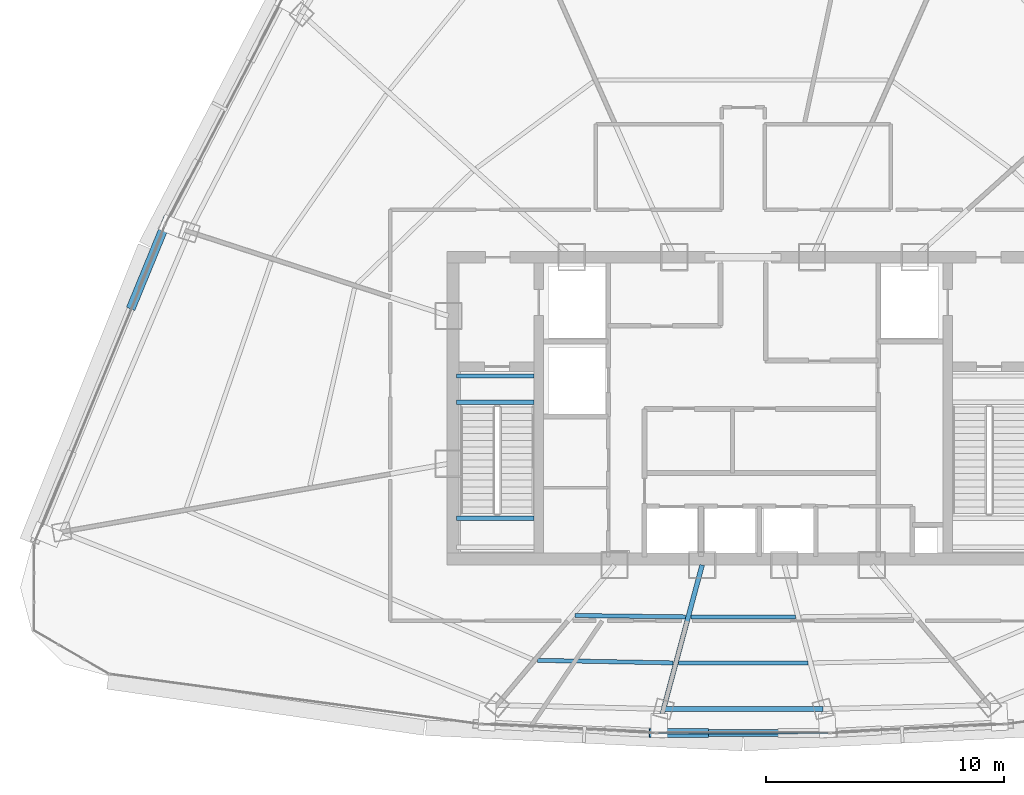
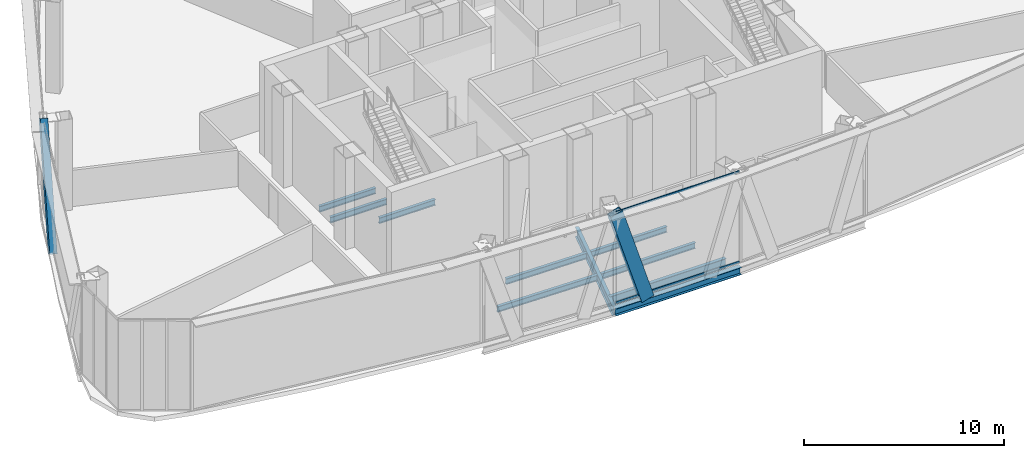
# One storey, part 7 of 33: 10 beams, 4 members, 1 element without a shape of its own.
"""IFC4 building model written with IfcOpenShell, lengths in metres."""

import ifcopenshell
import ifcopenshell.guid

model = None  # the IFC model being written
_history = None  # IfcOwnerHistory: only IFC2X3 demands one
_inside = {}  # id of a spatial element -> (the spatial element, [elements in it])
_under = {}  # id of a project, library or spatial element -> (it, [spatial elements below it])
_declared = {}  # id of a project -> (the project, [libraries it declares])
_typed = {}  # id of a type object -> (the type object, [elements of that type])
_made_of = {}  # id of a material, layer set ... -> (it, [elements and type objects made of it])


def new_model(schema):
    """Start an empty IFC model of exactly this schema.

    Asked for "IFC4X3", IfcOpenShell would pick the latest addendum, in which some entities
    have other attributes; the version numbers below select the first issue.
    IFC2X3 requires an IfcOwnerHistory on every rooted entity: one is made here for all.
    """
    global model, _history
    if schema == "IFC4X3":
        model = ifcopenshell.file(schema_version=(4, 3, 0, 0))
    else:
        model = ifcopenshell.file(schema=schema)
    _inside.clear()
    _under.clear()
    _declared.clear()
    _typed.clear()
    _made_of.clear()
    _history = None
    if model.schema == "IFC2X3":
        org = make("IfcOrganization", Name="unknown")
        user = make(
            "IfcPersonAndOrganization",
            ThePerson=make("IfcPerson", FamilyName="unknown"),
            TheOrganization=org,
        )
        app = make(
            "IfcApplication",
            ApplicationDeveloper=org,
            Version="unknown",
            ApplicationFullName="unknown",
            ApplicationIdentifier="unknown",
        )
        _history = make(
            "IfcOwnerHistory",
            OwningUser=user,
            OwningApplication=app,
            ChangeAction="ADDED",
            CreationDate=0,
        )
    return model


def make(cls, **values):
    """One entity of the class cls with the attributes given. An attribute that is None is left unset."""
    return model.create_entity(
        cls, **{name: value for name, value in values.items() if value is not None}
    )


def rooted(cls, **values):
    """An entity with a GlobalId (a new one), such as an element, a storey or a relation."""
    return make(cls, GlobalId=ifcopenshell.guid.new(), OwnerHistory=_history, **values)


def si_unit(unit_type, name, prefix=None):
    """IfcSIUnit, for example si_unit("LENGTHUNIT", "METRE", prefix="MILLI")."""
    return make("IfcSIUnit", UnitType=unit_type, Prefix=prefix, Name=name)


def assignment(units):
    """IfcUnitAssignment: the units of a project."""
    return None if units is None else make("IfcUnitAssignment", Units=units)


def point(xyz):
    """IfcCartesianPoint."""
    return None if xyz is None else make("IfcCartesianPoint", Coordinates=xyz)


def direction(xyz):
    """IfcDirection."""
    return None if xyz is None else make("IfcDirection", DirectionRatios=xyz)


def frame(location, z_axis=None, x_axis=None):
    """IfcAxis2Placement3D, a coordinate frame: its origin and axes. An axis left out is left unset."""
    return make(
        "IfcAxis2Placement3D",
        Location=point(location),
        Axis=direction(z_axis),
        RefDirection=direction(x_axis),
    )


def frame_2d(location, x_axis=None):
    """IfcAxis2Placement2D, a coordinate frame in the plane: its origin and x axis."""
    return make(
        "IfcAxis2Placement2D", Location=point(location), RefDirection=direction(x_axis)
    )


def origin():
    """The frame at (0, 0, 0) with its axes left unset."""
    return frame((0.0, 0.0, 0.0))


def origin_2d():
    """The frame at (0, 0) in the plane with its x axis left unset."""
    return frame_2d((0.0, 0.0))


def place(relative_to, where):
    """IfcLocalPlacement: puts the frame where relative to a parent placement (None: the world)."""
    return make(
        "IfcLocalPlacement", PlacementRelTo=relative_to, RelativePlacement=where
    )


def context(
    kind, dimensions, precision=None, world=None, true_north=None, identifier=None
):
    """IfcGeometricRepresentationContext, for example the 3D "Model" context."""
    return make(
        "IfcGeometricRepresentationContext",
        ContextIdentifier=identifier,
        ContextType=kind,
        CoordinateSpaceDimension=dimensions,
        Precision=precision,
        WorldCoordinateSystem=world,
        TrueNorth=true_north,
    )


def subcontext(parent, identifier, kind, view, scale=None):
    """IfcGeometricRepresentationSubContext, for example "Body" below "Model"."""
    return make(
        "IfcGeometricRepresentationSubContext",
        ContextIdentifier=identifier,
        ContextType=kind,
        ParentContext=parent,
        TargetScale=scale,
        TargetView=view,
    )


def project(units=None, contexts=None):
    """IfcProject with its units and contexts."""
    return rooted(
        "IfcProject",
        Name="project",
        RepresentationContexts=contexts,
        UnitsInContext=assignment(units),
    )


def spatial(cls, under=None, at=None, **own):
    """A site, building, storey or space (cls), placed at a placement, below another one or the project."""
    s = rooted(cls, ObjectPlacement=at, **own)
    if under is not None:
        _under.setdefault(under.id(), (under, []))[1].append(s)
    return s


def profile(cls, at=None, kind="AREA", **sizes):
    """A parametric profile (cls). Its sizes go by their IFC names, for example OverallWidth=200.0."""
    return make(cls, ProfileType=kind, Position=at, **sizes)


def hollow_rectangle(**sizes):
    """IfcRectangleHollowProfileDef."""
    return profile("IfcRectangleHollowProfileDef", **sizes)


def i_section(**sizes):
    """IfcIShapeProfileDef."""
    return profile("IfcIShapeProfileDef", **sizes)


def extrude(swept, where, along, depth):
    """IfcExtrudedAreaSolid: the profile swept, set in the frame where, extruded along a direction by depth."""
    return make(
        "IfcExtrudedAreaSolid",
        SweptArea=swept,
        Position=where,
        ExtrudedDirection=direction(along),
        Depth=depth,
    )


def shape(context_of_items, identifier, shape_type, items):
    """IfcShapeRepresentation: the items that make up one representation, for example the "Body"."""
    return make(
        "IfcShapeRepresentation",
        ContextOfItems=context_of_items,
        RepresentationIdentifier=identifier,
        RepresentationType=shape_type,
        Items=items,
    )


def source(mapping_origin, context_of_items, identifier, shape_type, items):
    """IfcRepresentationMap: a shape defined once, which mapped items show again and again."""
    return make(
        "IfcRepresentationMap",
        MappingOrigin=mapping_origin,
        MappedRepresentation=shape(context_of_items, identifier, shape_type, items),
    )


def transform(
    local_origin,
    x_axis=None,
    y_axis=None,
    z_axis=None,
    scale=None,
    scale2=None,
    scale3=None,
    uniform=True,
):
    """IfcCartesianTransformationOperator3D, or its non-uniform kind. x_axis, y_axis, z_axis: its Axis1, 2, 3."""
    if uniform:
        return make(
            "IfcCartesianTransformationOperator3D",
            Axis1=direction(x_axis),
            Axis2=direction(y_axis),
            LocalOrigin=point(local_origin),
            Scale=scale,
            Axis3=direction(z_axis),
        )
    return make(
        "IfcCartesianTransformationOperator3DnonUniform",
        Axis1=direction(x_axis),
        Axis2=direction(y_axis),
        LocalOrigin=point(local_origin),
        Scale=scale,
        Axis3=direction(z_axis),
        Scale2=scale2,
        Scale3=scale3,
    )


def mapped(mapping_source, mapping_target):
    """IfcMappedItem: shows the shape of a source again, moved by a transform."""
    return make(
        "IfcMappedItem", MappingSource=mapping_source, MappingTarget=mapping_target
    )


def material(Name=None, Category=None):
    """IfcMaterial."""
    return make("IfcMaterial", Name=Name, Category=Category)


def layer(
    of_material, thickness, ventilated=None, Name=None, Category=None, Priority=None
):
    """IfcMaterialLayer: one layer of a wall or slab, of a material (None: an air gap)."""
    return make(
        "IfcMaterialLayer",
        Material=of_material,
        LayerThickness=thickness,
        IsVentilated=ventilated,
        Name=Name,
        Category=Category,
        Priority=Priority,
    )


def layer_set(layers, Name=None):
    """IfcMaterialLayerSet."""
    return make("IfcMaterialLayerSet", MaterialLayers=layers, LayerSetName=Name)


def material_profile(
    of_material, cross_section, Name=None, Category=None, Priority=None
):
    """IfcMaterialProfile: a cross section and its material."""
    return make(
        "IfcMaterialProfile",
        Name=Name,
        Material=of_material,
        Profile=cross_section,
        Priority=Priority,
        Category=Category,
    )


def profile_set(profiles, Name=None, composite=None):
    """IfcMaterialProfileSet."""
    return make(
        "IfcMaterialProfileSet",
        Name=Name,
        MaterialProfiles=profiles,
        CompositeProfile=composite,
    )


def made_of(thing, what):
    """Note that an element or type object is made of a material, layer set ...; save() writes the relation."""
    if what is not None:
        _made_of.setdefault(what.id(), (what, []))[1].append(thing)
    return thing


def type_object(cls, material=None, **own):
    """A type object (cls), such as IfcWallType, which elements share."""
    return made_of(rooted(cls, **own), material)


def element(
    cls,
    number,
    at=None,
    inside=None,
    cuts=None,
    type_object=None,
    material=None,
    context=None,
    identifier="Body",
    shape_type=None,
    held_by="IfcProductDefinitionShape",
    body=None,
    shapes=None,
    **own,
):
    """One element of the class cls, such as IfcWall. Its Tag is "e" and its number.

    at: its placement. inside: the storey or other place that contains it. cuts: it is an
    opening in that element (IfcRelVoidsElement). A single representation is given by context,
    identifier, shape_type and body (its items); several are given by shapes. held_by: the class
    of the entity that holds the representations. save() writes the other relations.
    """
    e = rooted(cls, Tag="e%d" % number, ObjectPlacement=at, **own)
    if body is not None:
        shapes = [shape(context, identifier, shape_type, body)]
    if shapes is not None:
        e.Representation = make(held_by, Representations=shapes)
    if inside is not None:
        _inside.setdefault(inside.id(), (inside, []))[1].append(e)
    if cuts is not None:
        rooted(
            "IfcRelVoidsElement", RelatingBuildingElement=cuts, RelatedOpeningElement=e
        )
    if type_object is not None:
        _typed.setdefault(type_object.id(), (type_object, []))[1].append(e)
    return made_of(e, material)


def aggregate(whole, parts):
    """IfcRelAggregates: a whole, such as a stair, and the parts it consists of."""
    return rooted("IfcRelAggregates", RelatingObject=whole, RelatedObjects=parts)


def save(model, path):
    """Write the relations noted so far, then the file.

    IfcRelAggregates (storeys below a building ...), IfcRelContainedInSpatialStructure (elements
    in a storey), IfcRelDefinesByType, IfcRelAssociatesMaterial and IfcRelDeclares: one each for
    every whole, place, type object, material and project.
    """
    for whole, parts in _under.values():
        aggregate(whole, parts)
    for where, things in _inside.values():
        rooted(
            "IfcRelContainedInSpatialStructure",
            RelatedElements=things,
            RelatingStructure=where,
        )
    for kind, things in _typed.values():
        rooted("IfcRelDefinesByType", RelatedObjects=things, RelatingType=kind)
    for what, things in _made_of.values():
        rooted("IfcRelAssociatesMaterial", RelatedObjects=things, RelatingMaterial=what)
    for by, libraries in _declared.values():
        rooted("IfcRelDeclares", RelatingContext=by, RelatedDefinitions=libraries)
    model.write(path)


model = new_model("IFC4")

# Units and contexts
model_context = context("Model", 3, precision=1e-05, world=origin(), true_north=direction((0.0, 1.0)))
body_context = subcontext(model_context, "Body", "Model", "MODEL_VIEW")
ifc_project = project(units=[si_unit("LENGTHUNIT", "METRE"), si_unit("AREAUNIT", "SQUARE_METRE"), si_unit("VOLUMEUNIT", "CUBIC_METRE"), si_unit("PLANEANGLEUNIT", "RADIAN"), si_unit("MASSUNIT", "GRAM", prefix="KILO"), si_unit("THERMODYNAMICTEMPERATUREUNIT", "KELVIN"), si_unit("POWERUNIT", "WATT")], contexts=[model_context])

# Site, building, storey
site_placement = place(None, origin())
site = spatial("IfcSite", under=ifc_project, at=site_placement, CompositionType="ELEMENT")
building_placement = place(site_placement, origin())
building = spatial("IfcBuilding", under=site, at=building_placement, Name="Yunzhuo Pagoda Commons", CompositionType="ELEMENT")
storey_placement = place(building_placement, frame((0.0, 0.0, 314.860107421875)))
storey = spatial("IfcBuildingStorey", under=building, at=storey_placement, Name="L79", CompositionType="ELEMENT", Elevation=314.860107421875)

# Beams
ifc_material_1 = material(Name="Structural steel Q355B", Category="steel")
ifc_material_profile_1 = material_profile(ifc_material_1, i_section(OverallWidth=0.175048828125, OverallDepth=0.35009765625, WebThickness=0.007080078125, FlangeThickness=0.010986328125, at=origin_2d()), Name="Structural steel Q355B")
ifc_profile_set_1 = profile_set([ifc_material_profile_1], Name="Structural steel Q355B")
beam_type_1 = type_object("IfcBeamType", Name="B-JS2 Joist HN 350x175x7x11", PredefinedType="JOIST", material=ifc_profile_set_1)
shared_shape_1 = source(origin(), body_context, "Body", "SweptSolid", [
    extrude(i_section(OverallWidth=0.175048828125, OverallDepth=0.35009765625, WebThickness=0.007080078125, FlangeThickness=0.010986328125, at=origin_2d()), origin(), (0.0, 0.0, 1.0), 3.25),
])
for number, where, z_axis, x_axis, name in (
    (1, (35.949951171875, 29.219970703125, 2.5498046875), (1.0, 0.0, 0.0), (0.0, 1.0, 0.0), "L79 ST1 landing support beam 85B"),
    (2, (35.949951171875, 34.10009765625, -0.375), (1.0, 0.0, 0.0), (0.0, 1.0, 0.0), "L79 ST1 landing support beam 183A"),
    (3, (35.949951171875, 35.199951171875, -0.375), (1.0, 0.0, 0.0), (0.0, 1.0, 0.0), "L79 ST1 landing support beam 183B"),
):
    element("IfcBeam", number, at=place(storey_placement, frame(where, z_axis=z_axis, x_axis=x_axis)), inside=storey, type_object=beam_type_1, Name=name, PredefinedType="JOIST", context=body_context, shape_type="MappedRepresentation", body=[
        mapped(shared_shape_1, transform((0.0, 0.0, 0.0), scale=1.0)),
    ])
shared_shape_2 = source(origin(), body_context, "Body", "SweptSolid", [
    extrude(i_section(OverallWidth=0.175048828125, OverallDepth=0.35009765625, WebThickness=0.007080078125, FlangeThickness=0.010986328125, at=origin_2d()), origin(), (0.0, 0.0, 1.0), 4.64892578125),
])
beam_1_placement = place(storey_placement, frame((40.924072265625, 25.12890625, -0.43505859375), z_axis=(0.999924495467, -0.012288342626, 0.0), x_axis=(0.012288342626, 0.999924495467, 0.0)))
element("IfcBeam", 4, at=beam_1_placement, inside=storey, type_object=beam_type_1, Name="L79 composite ring joist 1.1", PredefinedType="JOIST", context=body_context, shape_type="MappedRepresentation", body=[
    mapped(shared_shape_2, transform((0.0, 0.0, 0.0), scale=1.0)),
])
shared_shape_3 = source(origin(), body_context, "Body", "SweptSolid", [
    extrude(i_section(OverallWidth=0.175048828125, OverallDepth=0.35009765625, WebThickness=0.007080078125, FlangeThickness=0.010986328125, at=origin_2d()), origin(), (0.0, 0.0, 1.0), 5.711669921875),
])
beam_2_placement = place(storey_placement, frame((39.343017578125, 23.24365234375, -0.43505859375), z_axis=(0.999819084998, -0.019020969297, 0.0), x_axis=(0.019020969297, 0.999819084998, 0.0)))
element("IfcBeam", 5, at=beam_2_placement, inside=storey, type_object=beam_type_1, Name="L79 composite ring joist 2.1", PredefinedType="JOIST", context=body_context, shape_type="MappedRepresentation", body=[
    mapped(shared_shape_3, transform((0.0, 0.0, 0.0), scale=1.0)),
])
ifc_material_profile_2 = material_profile(ifc_material_1, i_section(OverallWidth=0.199951171875, OverallDepth=0.60009765625, WebThickness=0.010986328125, FlangeThickness=0.01708984375, at=origin_2d()), Name="Structural steel Q355B")
ifc_profile_set_2 = profile_set([ifc_material_profile_2], Name="Structural steel Q355B")
beam_type_2 = type_object("IfcBeamType", Name="B-RG3 Beam HN 600x200x11x17", PredefinedType="BEAM", material=ifc_profile_set_2)
shared_shape_4 = source(origin(), body_context, "Body", "SweptSolid", [
    extrude(i_section(OverallWidth=0.199951171875, OverallDepth=0.60009765625, WebThickness=0.010986328125, FlangeThickness=0.01708984375, at=origin_2d()), origin(), (0.0, 0.0, 1.0), 6.701171875),
])
beam_3_placement = place(storey_placement, frame((44.6494140625, 21.195556640625, -0.56005859375), z_axis=(1.0, 0.0, 0.0), x_axis=(0.0, 1.0, 0.0)))
element("IfcBeam", 6, at=beam_3_placement, inside=storey, type_object=beam_type_2, Name="L79 column-ring beam 2", PredefinedType="BEAM", context=body_context, shape_type="MappedRepresentation", body=[
    mapped(shared_shape_4, transform((0.0, 0.0, 0.0), scale=1.0)),
])
shared_shape_5 = source(origin(), body_context, "Body", "SweptSolid", [
    extrude(i_section(OverallWidth=0.175048828125, OverallDepth=0.35009765625, WebThickness=0.007080078125, FlangeThickness=0.010986328125, at=origin_2d()), origin(), (0.0, 0.0, 1.0), 4.39453125),
])
beam_4_placement = place(storey_placement, frame((45.802734375, 25.070556640625, -0.43505859375), z_axis=(1.0, 0.0, 0.0), x_axis=(0.0, 1.0, 0.0)))
element("IfcBeam", 7, at=beam_4_placement, inside=storey, type_object=beam_type_1, Name="L79 composite ring joist 1.2", PredefinedType="JOIST", context=body_context, shape_type="MappedRepresentation", body=[
    mapped(shared_shape_5, transform((0.0, 0.0, 0.0), scale=1.0)),
])
shared_shape_6 = source(origin(), body_context, "Body", "SweptSolid", [
    extrude(i_section(OverallWidth=0.175048828125, OverallDepth=0.35009765625, WebThickness=0.007080078125, FlangeThickness=0.010986328125, at=origin_2d()), origin(), (0.0, 0.0, 1.0), 5.43310546875),
])
beam_5_placement = place(storey_placement, frame((45.283447265625, 23.133056640625, -0.43505859375), z_axis=(1.0, 0.0, 0.0), x_axis=(0.0, 1.0, 0.0)))
element("IfcBeam", 8, at=beam_5_placement, inside=storey, type_object=beam_type_1, Name="L79 composite ring joist 2.2", PredefinedType="JOIST", context=body_context, shape_type="MappedRepresentation", body=[
    mapped(shared_shape_6, transform((0.0, 0.0, 0.0), scale=1.0)),
])
shared_shape_7 = source(origin(), body_context, "Body", "SweptSolid", [
    extrude(i_section(OverallWidth=0.199951171875, OverallDepth=0.60009765625, WebThickness=0.010986328125, FlangeThickness=0.01708984375, at=origin_2d()), origin(), (0.0, 0.0, 1.0), 7.1630859375),
])
beam_6_placement = place(storey_placement, frame((44.417724609375, 20.3310546875, -0.56005859375), z_axis=(0.258861017182, 0.965914578927, 0.0), x_axis=(-0.965914578927, 0.258861017182, 0.0)))
element("IfcBeam", 9, at=beam_6_placement, inside=storey, type_object=beam_type_2, Name="L79 radial floor girder F1C2", PredefinedType="BEAM", context=body_context, shape_type="MappedRepresentation", body=[
    mapped(shared_shape_7, transform((0.0, 0.0, 0.0), scale=1.0)),
])
ifc_material_profile_3 = material_profile(ifc_material_1, i_section(OverallWidth=0.300048828125, OverallDepth=0.43994140625, WebThickness=0.010986328125, FlangeThickness=0.01806640625, at=origin_2d()), Name="Structural steel Q355B")
ifc_profile_set_3 = profile_set([ifc_material_profile_3], Name="Structural steel Q355B")
beam_type_3 = type_object("IfcBeamType", Name="B-SP2 Beam HM 440x300x11x18", PredefinedType="BEAM", material=ifc_profile_set_3)
shared_shape_8 = source(origin(), body_context, "Body", "SweptSolid", [
    extrude(i_section(OverallWidth=0.300048828125, OverallDepth=0.43994140625, WebThickness=0.010986328125, FlangeThickness=0.01806640625, at=origin_2d()), origin(), (0.0, 0.0, 1.0), 7.24462890625),
])
beam_7_placement = place(storey_placement, frame((44.3779296875, 20.181640625, -0.480224609375), z_axis=(1.0, 0.0, 0.0), x_axis=(0.0, 1.0, 0.0)))
element("IfcBeam", 10, at=beam_7_placement, inside=storey, type_object=beam_type_3, Name="L79 facade edge spandrel beam F1.2", PredefinedType="BEAM", context=body_context, shape_type="MappedRepresentation", body=[
    mapped(shared_shape_8, transform((0.0, 0.0, 0.0), scale=1.0)),
])

# Members
ifc_material_profile_4 = material_profile(ifc_material_1, hollow_rectangle(XDim=0.3798828125, YDim=0.719970703125, WallThickness=0.02001953125, at=origin_2d()), Name="Structural steel Q355B")
ifc_profile_set_4 = profile_set([ifc_material_profile_4], Name="Structural steel Q355B")
member_type_1 = type_object("IfcMemberType", Name="M-DL3 Brace BOX 720x380x20", PredefinedType="BRACE", material=ifc_profile_set_4)
shared_shape_9 = source(origin(), body_context, "Body", "SweptSolid", [
    extrude(hollow_rectangle(XDim=0.3798828125, YDim=0.719970703125, WallThickness=0.02001953125, at=origin_2d()), origin(), (0.0, 0.0, 1.0), 6.104736328125),
])
member_1_placement = place(storey_placement, frame((46.18896484375, 20.181640625, -0.260009765625), z_axis=(-0.296664620258, 0.0, 0.95498172919), x_axis=(0.0, -1.0, 0.0)))
element("IfcMember", 11, at=member_1_placement, inside=storey, type_object=member_type_1, Name="L79 facade diamond brace F1.2L", PredefinedType="BRACE", context=body_context, shape_type="MappedRepresentation", body=[
    mapped(shared_shape_9, transform((0.0, 0.0, 0.0), scale=1.0)),
])
shared_shape_10 = source(origin(), body_context, "Body", "SweptSolid", [
    extrude(hollow_rectangle(XDim=0.3798828125, YDim=0.719970703125, WallThickness=0.02001953125, at=origin_2d()), origin(), (0.0, 0.0, 1.0), 6.8251953125),
])
member_2_placement = place(storey_placement, frame((22.350341796875, 38.31298828125, -0.260009765625), z_axis=(0.197595579186, 0.481004300022, 0.854160904307), x_axis=(-0.924992619868, 0.379985069692, 0.0)))
element("IfcMember", 12, at=member_2_placement, inside=storey, type_object=member_type_1, Name="L79 facade diamond brace F3.3L", PredefinedType="BRACE", context=body_context, shape_type="MappedRepresentation", body=[
    mapped(shared_shape_10, transform((0.0, 0.0, 0.0), scale=1.0)),
])

# Curtain wall, members
ifc_material_2 = material(Name="Anodized aluminium 6063-T6", Category="aluminium")
ifc_layer = layer(ifc_material_2, 0.139892578125)
ifc_layer_set = layer_set([ifc_layer], Name="Anodized aluminium 6063-T6")
curtain_wall_type = type_object("IfcCurtainWallType", Name="CW-HI High-Zone Ribbon Curtain Wall", PredefinedType="NOTDEFINED", material=ifc_layer_set)
curtain_wall_placement = place(storey_placement, origin())
curtain_wall = element("IfcCurtainWall", 13, at=curtain_wall_placement, inside=storey, type_object=curtain_wall_type, Name="L79 curtain wall CW-L79-F1B3", PredefinedType="NOTDEFINED")
ifc_material_profile_5 = material_profile(ifc_material_2, hollow_rectangle(XDim=0.054931640625, YDim=0.1201171875, WallThickness=0.00341796875, at=origin_2d()), Name="Anodized aluminium 6063-T6")
ifc_profile_set_5 = profile_set([ifc_material_profile_5], Name="Anodized aluminium 6063-T6")
member_type_2 = type_object("IfcMemberType", Name="CW-HI-T Transom RHS 120x55x3.5", PredefinedType="USERDEFINED", material=ifc_profile_set_5)
shared_shape_11 = source(origin(), body_context, "Body", "SweptSolid", [
    extrude(hollow_rectangle(XDim=0.054931640625, YDim=0.1201171875, WallThickness=0.00341796875, at=origin_2d()), origin(), (0.0, 0.0, 1.0), 7.12451171875),
])
member_3_placement = place(storey_placement, frame((44.437744140625, 20.181640625, 0.02734375), z_axis=(1.0, 0.0, 0.0), x_axis=(0.0, 1.0, 0.0)))
member_3 = element("IfcMember", 14, at=member_3_placement, type_object=member_type_2, Name="CW transom 1.1", ObjectType="TRANSOM", PredefinedType="USERDEFINED", context=body_context, shape_type="MappedRepresentation", body=[
    mapped(shared_shape_11, transform((0.0, 0.0, 0.0), scale=1.0)),
])
member_4_placement = place(storey_placement, frame((44.437744140625, 20.181640625, 5.54248046875), z_axis=(1.0, 0.0, 0.0), x_axis=(0.0, 1.0, 0.0)))
member_4 = element("IfcMember", 15, at=member_4_placement, type_object=member_type_2, Name="CW transom 1.2", ObjectType="TRANSOM", PredefinedType="USERDEFINED", context=body_context, shape_type="MappedRepresentation", body=[
    mapped(shared_shape_11, transform((0.0, 0.0, 0.0), scale=1.0)),
])
aggregate(curtain_wall, [member_3, member_4])

save(model, "model.ifc")
